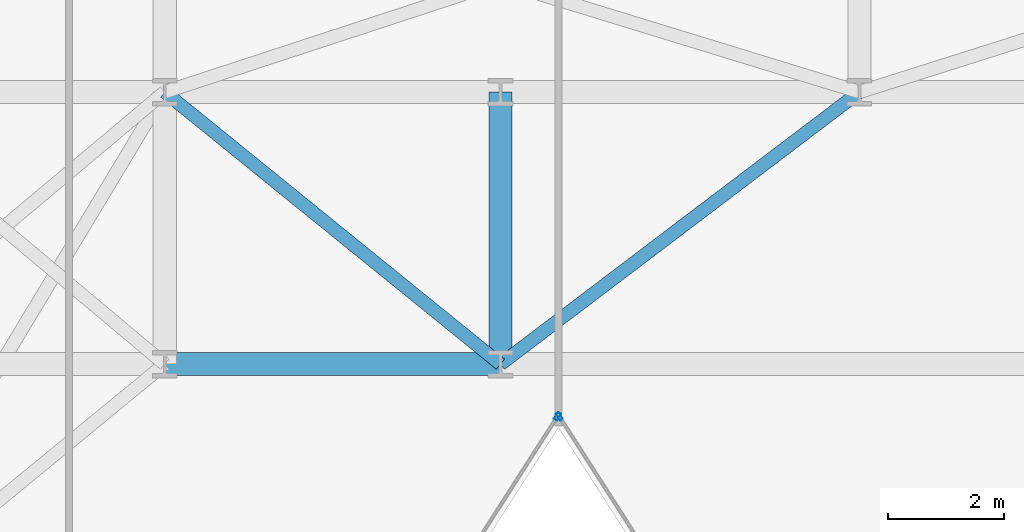
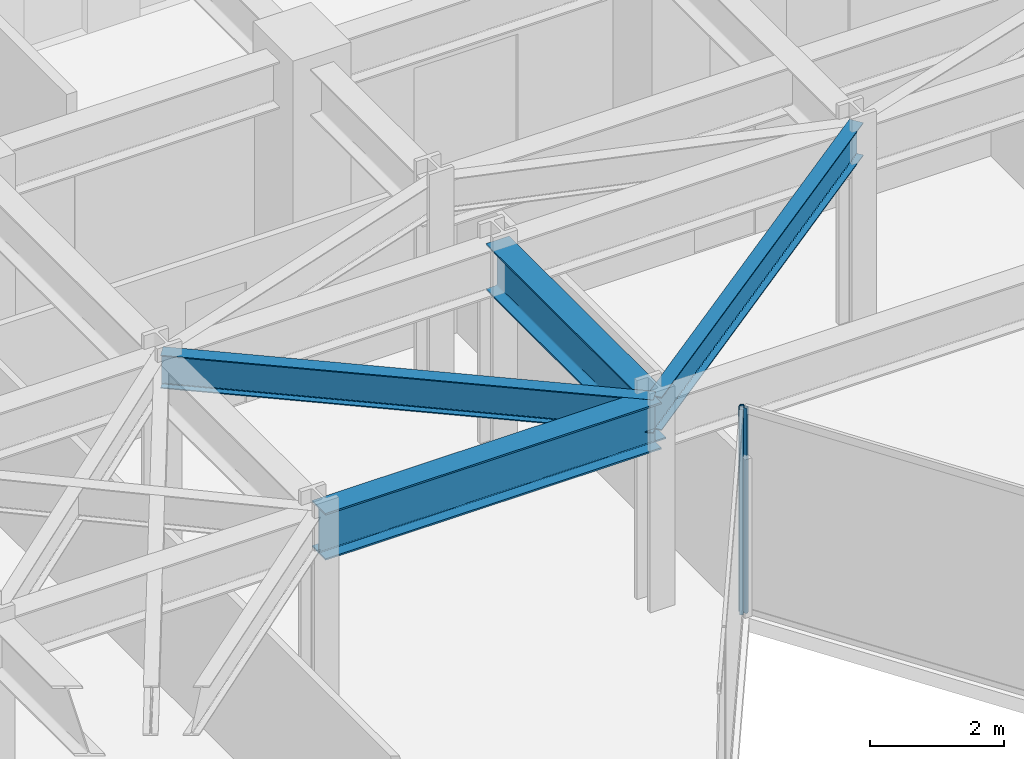
# One storey, part 13 of 26: 4 beams, 2 members, 2 elements without a shape of their own.
"""IFC4 building model written with IfcOpenShell, lengths in metres."""

from ifc_helpers import new_model, si_unit, direction, frame, origin, origin_2d, place, context, subcontext, project, spatial, hollow_rectangle, i_section, extrude, material, layer, layer_set, material_profile, profile_set, type_object, element, aggregate, save


model = new_model("IFC4")

# Units and contexts
model_context = context("Model", 3, precision=1e-05, world=origin(), true_north=direction((0.0, 1.0)))
body_context = subcontext(model_context, "Body", "Model", "MODEL_VIEW")
ifc_project = project(units=[si_unit("LENGTHUNIT", "METRE"), si_unit("AREAUNIT", "SQUARE_METRE"), si_unit("VOLUMEUNIT", "CUBIC_METRE"), si_unit("PLANEANGLEUNIT", "RADIAN"), si_unit("MASSUNIT", "GRAM", prefix="KILO")], contexts=[model_context])

# Site, building, storey
site_placement = place(None, origin())
site = spatial("IfcSite", under=ifc_project, at=site_placement, CompositionType="ELEMENT")
building_placement = place(site_placement, origin())
building = spatial("IfcBuilding", under=site, at=building_placement, Name="Kravanh Interchange Tower", CompositionType="ELEMENT")
storey_placement = place(building_placement, frame((0.0, 0.0, 100.0)))
storey = spatial("IfcBuildingStorey", under=building, at=storey_placement, Name="L23", CompositionType="ELEMENT", Elevation=100.0)

# Curtain wall, member
ifc_material_1 = material(Name="Anodised Bronze Aluminium", Category="aluminium")
ifc_layer = layer(ifc_material_1, 0.179931640625)
ifc_layer_set = layer_set([ifc_layer], Name="Unitised Curtain Wall System CW-Z2 Mid Office")
curtain_wall_type = type_object("IfcCurtainWallType", Name="Unitised Curtain Wall System CW-Z2 Mid Office", PredefinedType="NOTDEFINED", material=ifc_layer_set)
curtain_wall_1_placement = place(storey_placement, origin())
curtain_wall_1 = element("IfcCurtainWall", 1, at=curtain_wall_1_placement, inside=storey, type_object=curtain_wall_type, Name="L23 Unitised Curtain Wall CW-L23-04", PredefinedType="NOTDEFINED")
ifc_material_2 = material(Name="Anodised Bronze Aluminium", Category="aluminium")
ifc_material_profile_1 = material_profile(ifc_material_2, hollow_rectangle(XDim=0.06005859375, YDim=0.139892578125, WallThickness=0.00390625, at=origin_2d()), Name="ALU60X140X4")
ifc_profile_set_1 = profile_set([ifc_material_profile_1], Name="Anodised Bronze Aluminium")
member_type = type_object("IfcMemberType", Name="Curtain Wall Mullion ALU60X140X4 Bronze", PredefinedType="MULLION", material=ifc_profile_set_1)
member_1_placement = place(storey_placement, frame((39.6162109375, 25.897216796875, 0.0), z_axis=(0.0, 0.0, 1.0), x_axis=(-0.841879939476, -0.539664865919, 0.0)))
member_1 = element("IfcMember", 2, at=member_1_placement, type_object=member_type, Name="CW-Z2 mullion 5", PredefinedType="MULLION", context=body_context, shape_type="SweptSolid", body=[
    extrude(hollow_rectangle(XDim=0.06005859375, YDim=0.139892578125, WallThickness=0.00390625, at=origin_2d()), origin(), (0.0, 0.0, 1.0), 3.75),
])
aggregate(curtain_wall_1, [member_1])

curtain_wall_2_placement = place(storey_placement, origin())
curtain_wall_2 = element("IfcCurtainWall", 3, at=curtain_wall_2_placement, inside=storey, type_object=curtain_wall_type, Name="L23 Unitised Curtain Wall CW-L23-05", PredefinedType="NOTDEFINED")
member_2_placement = place(storey_placement, frame((39.583740234375, 25.897216796875, 0.0), z_axis=(0.0, 0.0, 1.0), x_axis=(0.841879939476, -0.539664865919, 0.0)))
member_2 = element("IfcMember", 4, at=member_2_placement, type_object=member_type, Name="CW-Z2 mullion 1", PredefinedType="MULLION", context=body_context, shape_type="SweptSolid", body=[
    extrude(hollow_rectangle(XDim=0.06005859375, YDim=0.139892578125, WallThickness=0.00390625, at=origin_2d()), origin(), (0.0, 0.0, 1.0), 3.75),
])
aggregate(curtain_wall_2, [member_2])

# Beams
ifc_material_3 = material(Name="Structural Steel S355", Category="steel")
ifc_material_profile_2 = material_profile(ifc_material_3, i_section(OverallWidth=0.39990234375, OverallDepth=0.85595703125, WebThickness=0.018310546875, FlangeThickness=0.029296875, FilletRadius=0.02490234375, at=origin_2d()), Name="W33X201")
ifc_profile_set_2 = profile_set([ifc_material_profile_2], Name="Structural Steel S355")
beam_type_1 = type_object("IfcBeamType", Name="Floor Beam W33X201 Structural Steel S355", PredefinedType="BEAM", material=ifc_profile_set_2)
beam_1_placement = place(storey_placement, frame((32.800048828125, 26.800048828125, 3.322021484375), z_axis=(1.0, 0.0, 0.0), x_axis=(0.0, 1.0, 0.0)))
element("IfcBeam", 5, at=beam_1_placement, inside=storey, type_object=beam_type_1, Name="L23 Primary Floor Girder 50", PredefinedType="BEAM", context=body_context, shape_type="SweptSolid", body=[
    extrude(i_section(OverallWidth=0.39990234375, OverallDepth=0.85595703125, WebThickness=0.018310546875, FlangeThickness=0.029296875, FilletRadius=0.02490234375, at=origin_2d()), origin(), (0.0, 0.0, 1.0), 5.800048828125),
])
beam_2_placement = place(storey_placement, frame((38.60009765625, 26.800048828125, 3.322021484375), z_axis=(0.0, 1.0, 0.0), x_axis=(-1.0, 0.0, 0.0)))
element("IfcBeam", 6, at=beam_2_placement, inside=storey, type_object=beam_type_1, Name="L23 Primary Floor Girder 53", PredefinedType="BEAM", context=body_context, shape_type="SweptSolid", body=[
    extrude(i_section(OverallWidth=0.39990234375, OverallDepth=0.85595703125, WebThickness=0.018310546875, FlangeThickness=0.029296875, FilletRadius=0.02490234375, at=origin_2d()), origin(), (0.0, 0.0, 1.0), 4.699951171875),
])
ifc_material_4 = material(Name="Structural Steel S355", Category="steel")
ifc_material_profile_3 = material_profile(ifc_material_4, i_section(OverallWidth=0.22802734375, OverallDepth=0.60791015625, WebThickness=0.01123046875, FlangeThickness=0.017333984375, FilletRadius=0.02197265625, at=origin_2d()), Name="W24X76")
ifc_profile_set_3 = profile_set([ifc_material_profile_3], Name="Structural Steel S355")
beam_type_2 = type_object("IfcBeamType", Name="Floor Spandrel W24X76 Structural Steel S355", PredefinedType="SPANDREL", material=ifc_profile_set_3)
beam_3_placement = place(storey_placement, frame((38.60009765625, 26.800048828125, 3.446044921875), z_axis=(-0.776938619557, 0.629576350764, 0.0), x_axis=(-0.629576350764, -0.776938619557, 0.0)))
element("IfcBeam", 7, at=beam_3_placement, inside=storey, type_object=beam_type_2, Name="L23 Perimeter Spandrel 54", PredefinedType="SPANDREL", context=body_context, shape_type="SweptSolid", body=[
    extrude(i_section(OverallWidth=0.22802734375, OverallDepth=0.60791015625, WebThickness=0.01123046875, FlangeThickness=0.017333984375, FilletRadius=0.02197265625, at=origin_2d()), origin(), (0.0, 0.0, 1.0), 7.46533203125),
])
beam_4_placement = place(storey_placement, frame((38.60009765625, 26.800048828125, 3.446044921875), z_axis=(0.796905365509, 0.604104161898, 0.0), x_axis=(-0.604104161898, 0.796905365509, 0.0)))
element("IfcBeam", 8, at=beam_4_placement, inside=storey, type_object=beam_type_2, Name="L23 Perimeter Spandrel 55", PredefinedType="SPANDREL", context=body_context, shape_type="SweptSolid", body=[
    extrude(i_section(OverallWidth=0.22802734375, OverallDepth=0.60791015625, WebThickness=0.01123046875, FlangeThickness=0.017333984375, FilletRadius=0.02197265625, at=origin_2d()), origin(), (0.0, 0.0, 1.0), 7.780029296875),
])

save(model, "model.ifc")
